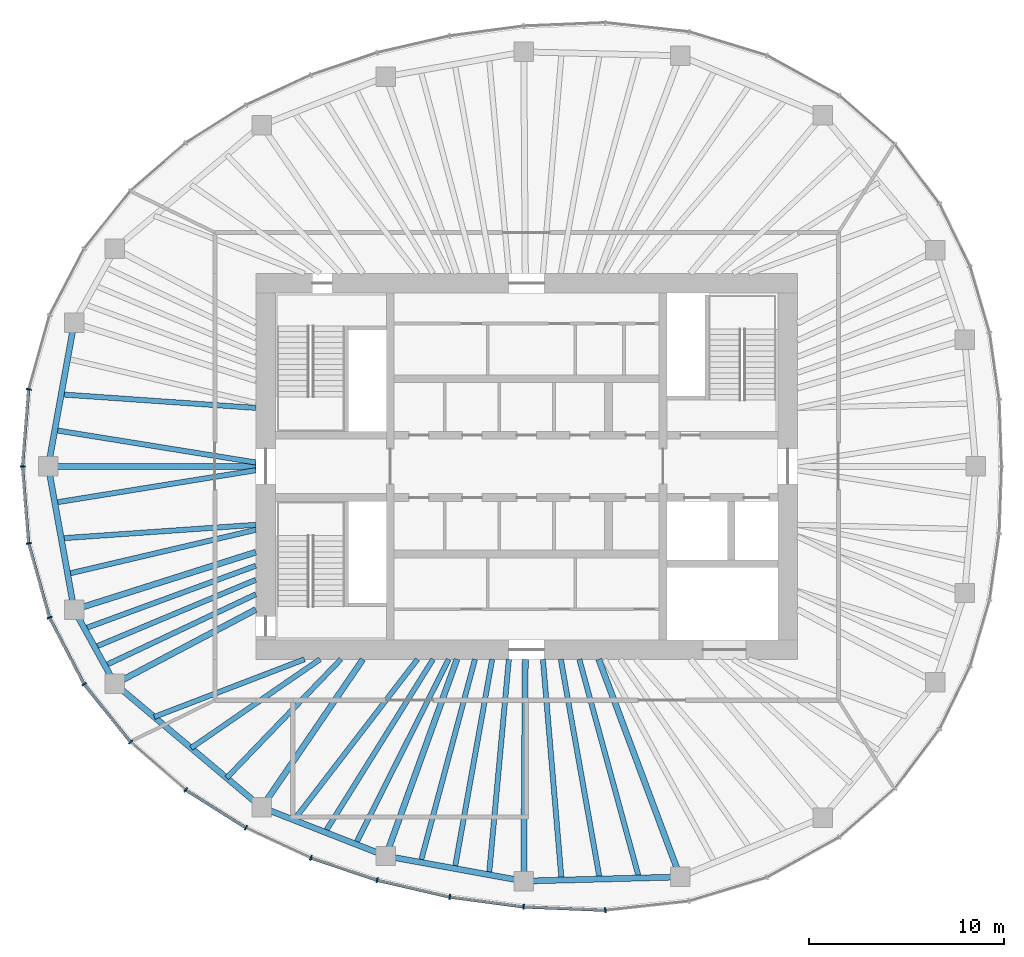
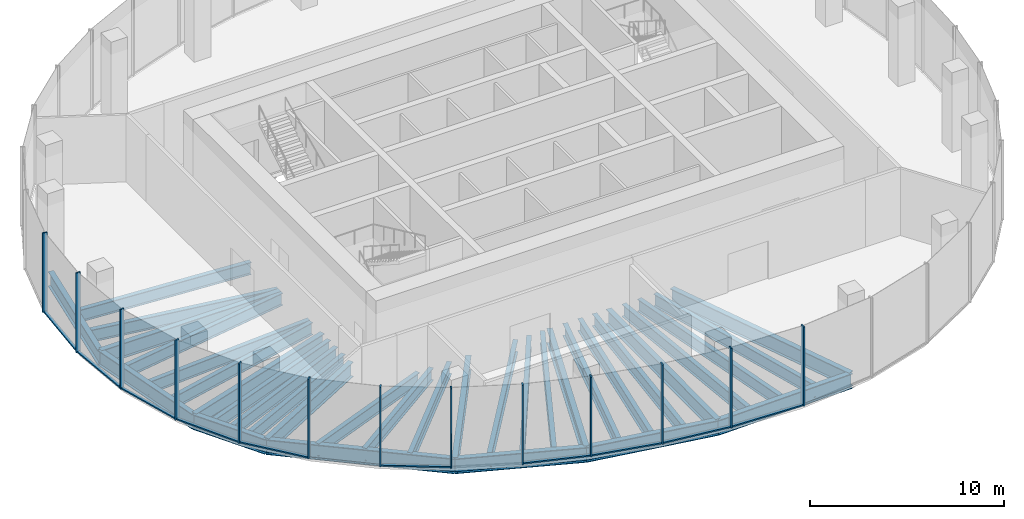
# One storey, part 2 of 11: 34 beams, 23 members, 7 elements without a shape of their own.
"""IFC4 building model written with IfcOpenShell, lengths in metres."""

from ifc_helpers import new_model, si_unit, direction, frame, origin, origin_2d, place, context, subcontext, project, spatial, rectangle, i_section, extrude, material, material_profile, profile_set, type_object, element, aggregate, save


model = new_model("IFC4")

# Units and contexts
model_context = context("Model", 3, precision=1e-05, world=origin(), true_north=direction((0.0, 1.0)))
body_context = subcontext(model_context, "Body", "Model", "MODEL_VIEW")
ifc_project = project(units=[si_unit("LENGTHUNIT", "METRE"), si_unit("AREAUNIT", "SQUARE_METRE"), si_unit("VOLUMEUNIT", "CUBIC_METRE"), si_unit("PLANEANGLEUNIT", "RADIAN"), si_unit("MASSUNIT", "GRAM", prefix="KILO")], contexts=[model_context])

# Site, building, storey
site_placement = place(None, origin())
site = spatial("IfcSite", under=ifc_project, at=site_placement, CompositionType="ELEMENT")
building_placement = place(site_placement, origin())
building = spatial("IfcBuilding", under=site, at=building_placement, Name="Ghaith Harvest Tower", CompositionType="ELEMENT")
storey_placement = place(building_placement, frame((0.0, 0.0, 339.199951171875)))
storey = spatial("IfcBuildingStorey", under=building, at=storey_placement, Name="L76", CompositionType="ELEMENT", Elevation=339.199951171875)

# Curtain wall, member
ifc_material_1 = material(Name="Black anodised aluminium and fritted glass", Category="aluminium")
curtain_wall_type = type_object("IfcCurtainWallType", Name="CW-C CURTAIN WALL", PredefinedType="NOTDEFINED", material=ifc_material_1)
curtain_wall_1_placement = place(storey_placement, origin())
curtain_wall_1 = element("IfcCurtainWall", 1, at=curtain_wall_1_placement, inside=storey, type_object=curtain_wall_type, Name="Curtain wall CW-C bay 10 L76", PredefinedType="NOTDEFINED")
ifc_material_2 = material(Name="Aluminium, black anodised", Category="aluminium")
ifc_material_profile_1 = material_profile(ifc_material_2, rectangle(XDim=0.080078125, YDim=0.260009765625, at=origin_2d()), Name="CW-C MULLION 80x260")
ifc_profile_set_1 = profile_set([ifc_material_profile_1], Name="Aluminium, black anodised")
member_type_1 = type_object("IfcMemberType", Name="CW-C MULLION 80x260", PredefinedType="MULLION", material=ifc_profile_set_1)
member_1_placement = place(storey_placement, frame((-25.5517578125, 3.9521484375, 0.0), z_axis=(0.0, 0.0, 1.0), x_axis=(-0.176001390642, -0.984389917915, 0.0)))
member_1 = element("IfcMember", 2, at=member_1_placement, type_object=member_type_1, Name="CW-C mullion 2 bay 10 L76", PredefinedType="MULLION", context=body_context, shape_type="SweptSolid", body=[
    extrude(rectangle(XDim=0.080078125, YDim=0.260009765625, at=origin_2d()), origin(), (0.0, 0.0, 1.0), 5.0),
])

# Curtain wall, members
curtain_wall_2_placement = place(storey_placement, origin())
curtain_wall_2 = element("IfcCurtainWall", 3, at=curtain_wall_2_placement, inside=storey, type_object=curtain_wall_type, Name="Curtain wall CW-C bay 11 L76", PredefinedType="NOTDEFINED")
member_2_placement = place(storey_placement, frame((-25.8701171875, 0.0, 0.0), z_axis=(0.0, 0.0, 1.0), x_axis=(-1.05e-10, -1.0, 0.0)))
member_2 = element("IfcMember", 4, at=member_2_placement, type_object=member_type_1, Name="CW-C mullion 1 bay 11 L76", PredefinedType="MULLION", context=body_context, shape_type="SweptSolid", body=[
    extrude(rectangle(XDim=0.080078125, YDim=0.260009765625, at=origin_2d()), origin(), (0.0, 0.0, 1.0), 5.0),
])
member_3_placement = place(storey_placement, frame((-25.5517578125, -3.9521484375, 0.0), z_axis=(0.0, 0.0, 1.0), x_axis=(0.176001391003, -0.98438991785, 0.0)))
member_3 = element("IfcMember", 5, at=member_3_placement, type_object=member_type_1, Name="CW-C mullion 2 bay 11 L76", PredefinedType="MULLION", context=body_context, shape_type="SweptSolid", body=[
    extrude(rectangle(XDim=0.080078125, YDim=0.260009765625, at=origin_2d()), origin(), (0.0, 0.0, 1.0), 5.0),
])

curtain_wall_3_placement = place(storey_placement, origin())
curtain_wall_3 = element("IfcCurtainWall", 6, at=curtain_wall_3_placement, inside=storey, type_object=curtain_wall_type, Name="Curtain wall CW-C bay 12 L76", PredefinedType="NOTDEFINED")
member_4_placement = place(storey_placement, frame((-24.482666015625, -7.759033203125, 0.0), z_axis=(0.0, 0.0, 1.0), x_axis=(0.366473104734, -0.930428645038, 0.0)))
member_4 = element("IfcMember", 7, at=member_4_placement, type_object=member_type_1, Name="CW-C mullion 1 bay 12 L76", PredefinedType="MULLION", context=body_context, shape_type="SweptSolid", body=[
    extrude(rectangle(XDim=0.080078125, YDim=0.260009765625, at=origin_2d()), origin(), (0.0, 0.0, 1.0), 5.0),
])
member_5_placement = place(storey_placement, frame((-22.706298828125, -11.176513671875, 0.0), z_axis=(0.0, 0.0, 1.0), x_axis=(0.545865412431, -0.837872873121, 0.0)))
member_5 = element("IfcMember", 8, at=member_5_placement, type_object=member_type_1, Name="CW-C mullion 2 bay 12 L76", PredefinedType="MULLION", context=body_context, shape_type="SweptSolid", body=[
    extrude(rectangle(XDim=0.080078125, YDim=0.260009765625, at=origin_2d()), origin(), (0.0, 0.0, 1.0), 5.0),
])

curtain_wall_4_placement = place(storey_placement, origin())
curtain_wall_4 = element("IfcCurtainWall", 9, at=curtain_wall_4_placement, inside=storey, type_object=curtain_wall_type, Name="Curtain wall CW-C bay 13 L76", PredefinedType="NOTDEFINED")
member_6_placement = place(storey_placement, frame((-20.324462890625, -14.141845703125, 0.0), z_axis=(0.0, 0.0, 1.0), x_axis=(0.692826491831, -0.721104328248, 0.0)))
member_6 = element("IfcMember", 10, at=member_6_placement, type_object=member_type_1, Name="CW-C mullion 1 bay 13 L76", PredefinedType="MULLION", context=body_context, shape_type="SweptSolid", body=[
    extrude(rectangle(XDim=0.080078125, YDim=0.260009765625, at=origin_2d()), origin(), (0.0, 0.0, 1.0), 5.0),
])
member_7_placement = place(storey_placement, frame((-17.49462890625, -16.600830078125, 0.0), z_axis=(0.0, 0.0, 1.0), x_axis=(0.802189888845, -0.59706899286, 0.0)))
member_7 = element("IfcMember", 11, at=member_7_placement, type_object=member_type_1, Name="CW-C mullion 2 bay 13 L76", PredefinedType="MULLION", context=body_context, shape_type="SweptSolid", body=[
    extrude(rectangle(XDim=0.080078125, YDim=0.260009765625, at=origin_2d()), origin(), (0.0, 0.0, 1.0), 5.0),
])

curtain_wall_5_placement = place(storey_placement, origin())
curtain_wall_5 = element("IfcCurtainWall", 12, at=curtain_wall_5_placement, inside=storey, type_object=curtain_wall_type, Name="Curtain wall CW-C bay 14 L76", PredefinedType="NOTDEFINED")
member_8_placement = place(storey_placement, frame((-14.40478515625, -18.5478515625, 0.0), z_axis=(0.0, 0.0, 1.0), x_axis=(0.878671732732, -0.477426419564, 0.0)))
member_8 = element("IfcMember", 13, at=member_8_placement, type_object=member_type_1, Name="CW-C mullion 1 bay 14 L76", PredefinedType="MULLION", context=body_context, shape_type="SweptSolid", body=[
    extrude(rectangle(XDim=0.080078125, YDim=0.260009765625, at=origin_2d()), origin(), (0.0, 0.0, 1.0), 5.0),
])
member_9_placement = place(storey_placement, frame((-11.0673828125, -20.093017578125, 0.0), z_axis=(0.0, 0.0, 1.0), x_axis=(0.92862442092, -0.371021138038, 0.0)))
member_9 = element("IfcMember", 14, at=member_9_placement, type_object=member_type_1, Name="CW-C mullion 2 bay 14 L76", PredefinedType="MULLION", context=body_context, shape_type="SweptSolid", body=[
    extrude(rectangle(XDim=0.080078125, YDim=0.260009765625, at=origin_2d()), origin(), (0.0, 0.0, 1.0), 5.0),
])

curtain_wall_6_placement = place(storey_placement, origin())
curtain_wall_6 = element("IfcCurtainWall", 15, at=curtain_wall_6_placement, inside=storey, type_object=curtain_wall_type, Name="Curtain wall CW-C bay 15 L76", PredefinedType="NOTDEFINED")
member_10_placement = place(storey_placement, frame((-7.6708984375, -21.23828125, 0.0), z_axis=(0.0, 0.0, 1.0), x_axis=(0.962552491659, -0.271095372151, 0.0)))
member_10 = element("IfcMember", 16, at=member_10_placement, type_object=member_type_1, Name="CW-C mullion 1 bay 15 L76", PredefinedType="MULLION", context=body_context, shape_type="SweptSolid", body=[
    extrude(rectangle(XDim=0.080078125, YDim=0.260009765625, at=origin_2d()), origin(), (0.0, 0.0, 1.0), 5.0),
])
member_11_placement = place(storey_placement, frame((-3.946533203125, -22.0986328125, 0.0), z_axis=(0.0, 0.0, 1.0), x_axis=(0.983843447712, -0.179030920217, 0.0)))
member_11 = element("IfcMember", 17, at=member_11_placement, type_object=member_type_1, Name="CW-C mullion 2 bay 15 L76", PredefinedType="MULLION", context=body_context, shape_type="SweptSolid", body=[
    extrude(rectangle(XDim=0.080078125, YDim=0.260009765625, at=origin_2d()), origin(), (0.0, 0.0, 1.0), 5.0),
])

curtain_wall_7_placement = place(storey_placement, origin())
curtain_wall_7 = element("IfcCurtainWall", 18, at=curtain_wall_7_placement, inside=storey, type_object=curtain_wall_type, Name="Curtain wall CW-C bay 16 L76", PredefinedType="NOTDEFINED")
member_12_placement = place(storey_placement, frame((-0.15478515625, -22.60595703125, 0.0), z_axis=(0.0, 0.0, 1.0), x_axis=(0.996414855524, -0.084601629366, 0.0)))
member_12 = element("IfcMember", 19, at=member_12_placement, type_object=member_type_1, Name="CW-C mullion 1 bay 16 L76", PredefinedType="MULLION", context=body_context, shape_type="SweptSolid", body=[
    extrude(rectangle(XDim=0.080078125, YDim=0.260009765625, at=origin_2d()), origin(), (0.0, 0.0, 1.0), 5.0),
])
member_13_placement = place(storey_placement, frame((4.037841796875, -22.776611328125, 0.0), z_axis=(0.0, 0.0, 1.0), x_axis=(0.999388631241, 0.034962318939, 0.0)))
member_13 = element("IfcMember", 20, at=member_13_placement, type_object=member_type_1, Name="CW-C mullion 2 bay 16 L76", PredefinedType="MULLION", context=body_context, shape_type="SweptSolid", body=[
    extrude(rectangle(XDim=0.080078125, YDim=0.260009765625, at=origin_2d()), origin(), (0.0, 0.0, 1.0), 5.0),
])

# Member
ifc_material_3 = material(Name="Aluminium, black anodised", Category="aluminium")
ifc_material_profile_2 = material_profile(ifc_material_3, rectangle(XDim=0.159912109375, YDim=0.080078125, at=origin_2d()), Name="CW-C TRANSOM 160x80")
ifc_profile_set_2 = profile_set([ifc_material_profile_2], Name="Aluminium, black anodised")
member_type_2 = type_object("IfcMemberType", Name="CW-C TRANSOM 160x80", PredefinedType="USERDEFINED", material=ifc_profile_set_2)
member_14_placement = place(storey_placement, frame((-25.554931640625, 3.912109375, 0.0400390625), z_axis=(-0.08025226314, -0.996774585481, 0.0), x_axis=(0.996774585481, -0.08025226314, 0.0)))
member_14 = element("IfcMember", 21, at=member_14_placement, type_object=member_type_2, Name="CW-C transom 2 bay 10 L76", ObjectType="TRANSOM", PredefinedType="USERDEFINED", context=body_context, shape_type="SweptSolid", body=[
    extrude(rectangle(XDim=0.159912109375, YDim=0.080078125, at=origin_2d()), origin(), (0.0, 0.0, 1.0), 3.884765625),
])

aggregate(curtain_wall_1, [member_1, member_14])

member_15_placement = place(storey_placement, frame((-25.86669921875, -0.039794921875, 0.0400390625), z_axis=(0.08025226314, -0.996774585481, 0.0), x_axis=(0.996774585481, 0.08025226314, 0.0)))
member_15 = element("IfcMember", 22, at=member_15_placement, type_object=member_type_2, Name="CW-C transom 1 bay 11 L76", ObjectType="TRANSOM", PredefinedType="USERDEFINED", context=body_context, shape_type="SweptSolid", body=[
    extrude(rectangle(XDim=0.159912109375, YDim=0.080078125, at=origin_2d()), origin(), (0.0, 0.0, 1.0), 3.884765625),
])

member_16_placement = place(storey_placement, frame((-25.541015625, -3.990478515625, 0.0400390625), z_axis=(0.270340422972, -0.962764797709, 0.0), x_axis=(0.962764797709, 0.270340422972, 0.0)))
member_16 = element("IfcMember", 23, at=member_16_placement, type_object=member_type_2, Name="CW-C transom 2 bay 11 L76", ObjectType="TRANSOM", PredefinedType="USERDEFINED", context=body_context, shape_type="SweptSolid", body=[
    extrude(rectangle(XDim=0.159912109375, YDim=0.080078125, at=origin_2d()), origin(), (0.0, 0.0, 1.0), 3.874267578125),
])

aggregate(curtain_wall_2, [member_2, member_15, member_3, member_16])

member_17_placement = place(storey_placement, frame((-24.46435546875, -7.79443359375, 0.0400390625), z_axis=(0.461242681347, -0.887274021317, 0.0), x_axis=(0.887274021317, 0.461242681347, 0.0)))
member_17 = element("IfcMember", 24, at=member_17_placement, type_object=member_type_2, Name="CW-C transom 1 bay 12 L76", ObjectType="TRANSOM", PredefinedType="USERDEFINED", context=body_context, shape_type="SweptSolid", body=[
    extrude(rectangle(XDim=0.159912109375, YDim=0.080078125, at=origin_2d()), origin(), (0.0, 0.0, 1.0), 3.77197265625),
])

member_18_placement = place(storey_placement, frame((-22.68115234375, -11.207763671875, 0.0400390625), z_axis=(0.626253073761, -0.779619835307, 0.0), x_axis=(0.779619835307, 0.626253073761, 0.0)))
member_18 = element("IfcMember", 25, at=member_18_placement, type_object=member_type_2, Name="CW-C transom 2 bay 12 L76", ObjectType="TRANSOM", PredefinedType="USERDEFINED", context=body_context, shape_type="SweptSolid", body=[
    extrude(rectangle(XDim=0.159912109375, YDim=0.080078125, at=origin_2d()), origin(), (0.0, 0.0, 1.0), 3.723388671875),
])

aggregate(curtain_wall_3, [member_4, member_17, member_5, member_18])

member_19_placement = place(storey_placement, frame((-17.4609375, -16.6220703125, 0.0400390625), z_axis=(0.846053602505, -0.533097835006, 0.0), x_axis=(0.533097835006, 0.846053602505, 0.0)))
member_19 = element("IfcMember", 26, at=member_19_placement, type_object=member_type_2, Name="CW-C transom 2 bay 13 L76", ObjectType="TRANSOM", PredefinedType="USERDEFINED", context=body_context, shape_type="SweptSolid", body=[
    extrude(rectangle(XDim=0.159912109375, YDim=0.080078125, at=origin_2d()), origin(), (0.0, 0.0, 1.0), 3.572021484375),
])

aggregate(curtain_wall_4, [member_6, member_7, member_19])

member_20_placement = place(storey_placement, frame((-11.029541015625, -20.105712890625, 0.0400390625), z_axis=(0.9475698206, -0.319548799228, 0.0), x_axis=(0.319548799228, 0.9475698206, 0.0)))
member_20 = element("IfcMember", 27, at=member_20_placement, type_object=member_type_2, Name="CW-C transom 2 bay 14 L76", ObjectType="TRANSOM", PredefinedType="USERDEFINED", context=body_context, shape_type="SweptSolid", body=[
    extrude(rectangle(XDim=0.159912109375, YDim=0.080078125, at=origin_2d()), origin(), (0.0, 0.0, 1.0), 3.504638671875),
])

aggregate(curtain_wall_5, [member_8, member_9, member_20])

member_21_placement = place(storey_placement, frame((-7.6318359375, -21.247314453125, 0.0400390625), z_axis=(0.974344997799, -0.225059603803, 0.0), x_axis=(0.225059603803, 0.974344997799, 0.0)))
member_21 = element("IfcMember", 28, at=member_21_placement, type_object=member_type_2, Name="CW-C transom 1 bay 15 L76", ObjectType="TRANSOM", PredefinedType="USERDEFINED", context=body_context, shape_type="SweptSolid", body=[
    extrude(rectangle(XDim=0.159912109375, YDim=0.080078125, at=origin_2d()), origin(), (0.0, 0.0, 1.0), 3.742431640625),
])

member_22_placement = place(storey_placement, frame((-3.90673828125, -22.10400390625, 0.0400390625), z_axis=(0.99117202259, -0.132582131655, 0.0), x_axis=(0.132582131655, 0.99117202259, 0.0)))
member_22 = element("IfcMember", 29, at=member_22_placement, type_object=member_type_2, Name="CW-C transom 2 bay 15 L76", ObjectType="TRANSOM", PredefinedType="USERDEFINED", context=body_context, shape_type="SweptSolid", body=[
    extrude(rectangle(XDim=0.159912109375, YDim=0.080078125, at=origin_2d()), origin(), (0.0, 0.0, 1.0), 3.745361328125),
])

aggregate(curtain_wall_6, [member_10, member_21, member_11, member_22])

member_23_placement = place(storey_placement, frame((-0.11474609375, -22.607666015625, 0.0400390625), z_axis=(0.999174207562, -0.040631304968, 0.0), x_axis=(0.040631304968, 0.999174207562, 0.0)))
member_23 = element("IfcMember", 30, at=member_23_placement, type_object=member_type_2, Name="CW-C transom 1 bay 16 L76", ObjectType="TRANSOM", PredefinedType="USERDEFINED", context=body_context, shape_type="SweptSolid", body=[
    extrude(rectangle(XDim=0.159912109375, YDim=0.080078125, at=origin_2d()), origin(), (0.0, 0.0, 1.0), 4.115966796875),
])

aggregate(curtain_wall_7, [member_12, member_23, member_13])

# Beams
ifc_material_4 = material(Name="Steel ASTM A992 Grade 50", Category="steel")
ifc_material_profile_3 = material_profile(ifc_material_4, i_section(OverallWidth=0.306884765625, OverallDepth=0.94189453125, WebThickness=0.022216796875, FlangeThickness=0.039794921875, at=origin_2d()), Name="W920X345")
ifc_profile_set_3 = profile_set([ifc_material_profile_3], Name="Steel ASTM A992 Grade 50")
beam_type_1 = type_object("IfcBeamType", Name="E920-345 W920X345", PredefinedType="SPANDREL", material=ifc_profile_set_3)
for number, where, z_axis, x_axis, name in (
    (31, (-23.22412109375, 7.360107421875, -0.77099609375), (-0.177296554745, -0.984157473007, 0.0), (0.984157473007, -0.177296554745, 0.0), "Edge beam E10 L76"),
    (32, (-24.550048828125, 0.0, -0.77099609375), (0.177296554745, -0.984157473007, 0.0), (0.984157473007, 0.177296554745, 0.0), "Edge beam E11 L76"),
):
    element("IfcBeam", number, at=place(storey_placement, frame(where, z_axis=z_axis, x_axis=x_axis)), inside=storey, type_object=beam_type_1, Name=name, PredefinedType="SPANDREL", context=body_context, shape_type="SweptSolid", body=[
        extrude(i_section(OverallWidth=0.306884765625, OverallDepth=0.94189453125, WebThickness=0.022216796875, FlangeThickness=0.039794921875, at=origin_2d()), origin(), (0.0, 0.0, 1.0), 7.478515625),
    ])
beam_1_placement = place(storey_placement, frame((-23.22412109375, -7.360107421875, -0.77099609375), z_axis=(0.482955575345, -0.875644855089, 0.0), x_axis=(0.875644855089, 0.482955575345, 0.0)))
element("IfcBeam", 33, at=beam_1_placement, inside=storey, type_object=beam_type_1, Name="Edge beam E12 L76", PredefinedType="SPANDREL", context=body_context, shape_type="SweptSolid", body=[
    extrude(i_section(OverallWidth=0.306884765625, OverallDepth=0.94189453125, WebThickness=0.022216796875, FlangeThickness=0.039794921875, at=origin_2d()), origin(), (0.0, 0.0, 1.0), 4.346435546875),
])
beam_2_placement = place(storey_placement, frame((-21.125, -11.166015625, -0.77099609375), z_axis=(0.765021818761, -0.64400436087, 0.0), x_axis=(0.64400436087, 0.765021818761, 0.0)))
element("IfcBeam", 34, at=beam_2_placement, inside=storey, type_object=beam_type_1, Name="Edge beam E13 L76", PredefinedType="SPANDREL", context=body_context, shape_type="SweptSolid", body=[
    extrude(i_section(OverallWidth=0.306884765625, OverallDepth=0.94189453125, WebThickness=0.022216796875, FlangeThickness=0.039794921875, at=origin_2d()), origin(), (0.0, 0.0, 1.0), 9.8427734375),
])
beam_3_placement = place(storey_placement, frame((-13.594970703125, -17.5048828125, -0.77099609375), z_axis=(0.931322768207, -0.364194867371, 0.0), x_axis=(0.364194867371, 0.931322768207, 0.0)))
element("IfcBeam", 35, at=beam_3_placement, inside=storey, type_object=beam_type_1, Name="Edge beam E14 L76", PredefinedType="SPANDREL", context=body_context, shape_type="SweptSolid", body=[
    extrude(i_section(OverallWidth=0.306884765625, OverallDepth=0.94189453125, WebThickness=0.022216796875, FlangeThickness=0.039794921875, at=origin_2d()), origin(), (0.0, 0.0, 1.0), 6.843017578125),
])
beam_4_placement = place(storey_placement, frame((-7.221923828125, -19.9970703125, -0.77099609375), z_axis=(0.983813921429, -0.179193102551, 0.0), x_axis=(0.179193102551, 0.983813921429, 0.0)))
element("IfcBeam", 36, at=beam_4_placement, inside=storey, type_object=beam_type_1, Name="Edge beam E15 L76", PredefinedType="SPANDREL", context=body_context, shape_type="SweptSolid", body=[
    extrude(i_section(OverallWidth=0.306884765625, OverallDepth=0.94189453125, WebThickness=0.022216796875, FlangeThickness=0.039794921875, at=origin_2d()), origin(), (0.0, 0.0, 1.0), 7.1923828125),
])
beam_5_placement = place(storey_placement, frame((-0.14599609375, -21.285888671875, -0.77099609375), z_axis=(0.999644979696, 0.02664422206, 0.0), x_axis=(-0.02664422206, 0.999644979696, 0.0)))
element("IfcBeam", 37, at=beam_5_placement, inside=storey, type_object=beam_type_1, Name="Edge beam E16 L76", PredefinedType="SPANDREL", context=body_context, shape_type="SweptSolid", body=[
    extrude(i_section(OverallWidth=0.306884765625, OverallDepth=0.94189453125, WebThickness=0.022216796875, FlangeThickness=0.039794921875, at=origin_2d()), origin(), (0.0, 0.0, 1.0), 8.02685546875),
])
ifc_material_5 = material(Name="Steel ASTM A992 Grade 50", Category="steel")
ifc_material_profile_4 = material_profile(ifc_material_5, i_section(OverallWidth=0.31005859375, OverallDepth=0.927001953125, WebThickness=0.019287109375, FlangeThickness=0.031982421875, at=origin_2d()), Name="W920X289")
ifc_profile_set_4 = profile_set([ifc_material_profile_4], Name="Steel ASTM A992 Grade 50")
beam_type_2 = type_object("IfcBeamType", Name="G920-289 W920X289", PredefinedType="BEAM", material=ifc_profile_set_4)
beam_6_placement = place(storey_placement, frame((-13.89990234375, 0.0, -0.763427734375), z_axis=(-1.0, 0.0, 0.0), x_axis=(0.0, -1.0, 0.0)))
element("IfcBeam", 38, at=beam_6_placement, inside=storey, type_object=beam_type_2, Name="Radial girder G11 L76", PredefinedType="BEAM", context=body_context, shape_type="SweptSolid", body=[
    extrude(i_section(OverallWidth=0.31005859375, OverallDepth=0.927001953125, WebThickness=0.019287109375, FlangeThickness=0.031982421875, at=origin_2d()), origin(), (0.0, 0.0, 1.0), 10.650146484375),
])
beam_7_placement = place(storey_placement, frame((-13.89990234375, -4.4052734375, -0.763427734375), z_axis=(-0.953278508772, -0.302092841215, 0.0), x_axis=(0.302092841215, -0.953278508772, 0.0)))
element("IfcBeam", 39, at=beam_7_placement, inside=storey, type_object=beam_type_2, Name="Radial girder G12 L76", PredefinedType="BEAM", context=body_context, shape_type="SweptSolid", body=[
    extrude(i_section(OverallWidth=0.31005859375, OverallDepth=0.927001953125, WebThickness=0.019287109375, FlangeThickness=0.031982421875, at=origin_2d()), origin(), (0.0, 0.0, 1.0), 9.78125),
])
beam_8_placement = place(storey_placement, frame((-13.89990234375, -7.34716796875, -0.763427734375), z_axis=(-0.88410164037, -0.467294649546, 0.0), x_axis=(0.467294649546, -0.88410164037, 0.0)))
element("IfcBeam", 40, at=beam_8_placement, inside=storey, type_object=beam_type_2, Name="Radial girder G13 L76", PredefinedType="BEAM", context=body_context, shape_type="SweptSolid", body=[
    extrude(i_section(OverallWidth=0.31005859375, OverallDepth=0.927001953125, WebThickness=0.019287109375, FlangeThickness=0.031982421875, at=origin_2d()), origin(), (0.0, 0.0, 1.0), 8.17236328125),
])
beam_9_placement = place(storey_placement, frame((-8.39990234375, -9.89990234375, -0.763427734375), z_axis=(-0.564067018201, -0.825729010619, 0.0), x_axis=(0.825729010619, -0.564067018201, 0.0)))
element("IfcBeam", 41, at=beam_9_placement, inside=storey, type_object=beam_type_2, Name="Radial girder G14 L76", PredefinedType="BEAM", context=body_context, shape_type="SweptSolid", body=[
    extrude(i_section(OverallWidth=0.31005859375, OverallDepth=0.927001953125, WebThickness=0.019287109375, FlangeThickness=0.031982421875, at=origin_2d()), origin(), (0.0, 0.0, 1.0), 9.2099609375),
])
beam_10_placement = place(storey_placement, frame((-3.57568359375, -9.89990234375, -0.763427734375), z_axis=(-0.339647816823, -0.940552688863, 0.0), x_axis=(0.940552688863, -0.339647816823, 0.0)))
element("IfcBeam", 42, at=beam_10_placement, inside=storey, type_object=beam_type_2, Name="Radial girder G15 L76", PredefinedType="BEAM", context=body_context, shape_type="SweptSolid", body=[
    extrude(i_section(OverallWidth=0.31005859375, OverallDepth=0.927001953125, WebThickness=0.019287109375, FlangeThickness=0.031982421875, at=origin_2d()), origin(), (0.0, 0.0, 1.0), 10.7353515625),
])
beam_11_placement = place(storey_placement, frame((-0.06787109375, -9.89990234375, -0.763427734375), z_axis=(-0.006861343299, -0.999976460707, 0.0), x_axis=(0.999976460707, -0.006861343299, 0.0)))
element("IfcBeam", 43, at=beam_11_placement, inside=storey, type_object=beam_type_2, Name="Radial girder G16 L76", PredefinedType="BEAM", context=body_context, shape_type="SweptSolid", body=[
    extrude(i_section(OverallWidth=0.31005859375, OverallDepth=0.927001953125, WebThickness=0.019287109375, FlangeThickness=0.031982421875, at=origin_2d()), origin(), (0.0, 0.0, 1.0), 11.38623046875),
])
beam_12_placement = place(storey_placement, frame((3.700927734375, -9.89990234375, -0.763427734375), z_axis=(0.350201332531, -0.936674450753, 0.0), x_axis=(0.936674450753, 0.350201332531, 0.0)))
element("IfcBeam", 44, at=beam_12_placement, inside=storey, type_object=beam_type_2, Name="Radial girder G17 L76", PredefinedType="BEAM", context=body_context, shape_type="SweptSolid", body=[
    extrude(i_section(OverallWidth=0.31005859375, OverallDepth=0.927001953125, WebThickness=0.019287109375, FlangeThickness=0.031982421875, at=origin_2d()), origin(), (0.0, 0.0, 1.0), 11.927490234375),
])
ifc_material_6 = material(Name="Steel ASTM A992 Grade 50", Category="steel")
ifc_material_profile_5 = material_profile(ifc_material_6, i_section(OverallWidth=0.26806640625, OverallDepth=0.77001953125, WebThickness=0.015625, FlangeThickness=0.025390625, at=origin_2d()), Name="W760X196")
ifc_profile_set_5 = profile_set([ifc_material_profile_5], Name="Steel ASTM A992 Grade 50")
beam_type_3 = type_object("IfcBeamType", Name="J760-196 W760X196", PredefinedType="JOIST", material=ifc_profile_set_5)
beam_13_placement = place(storey_placement, frame((-13.89990234375, 3.0, -0.68505859375), z_axis=(-0.997592478057, 0.069348739886, 0.0), x_axis=(-0.069348739886, -0.997592478057, 0.0)))
element("IfcBeam", 45, at=beam_13_placement, inside=storey, type_object=beam_type_3, Name="Joist J10.2 L76", PredefinedType="JOIST", context=body_context, shape_type="SweptSolid", body=[
    extrude(i_section(OverallWidth=0.26806640625, OverallDepth=0.77001953125, WebThickness=0.015625, FlangeThickness=0.025390625, at=origin_2d()), origin(), (0.0, 0.0, 1.0), 10.0087890625),
])
for number, where, z_axis, x_axis, name in (
    (46, (-13.89990234375, 0.199951171875, -0.68505859375), (-0.987271793524, 0.159042150743, 0.0), (-0.159042150743, -0.987271793524, 0.0), "Joist J10.3 L76"),
    (47, (-13.89990234375, -0.199951171875, -0.68505859375), (-0.987271793524, -0.159042150743, 0.0), (0.159042150743, -0.987271793524, 0.0), "Joist J11.1 L76"),
):
    element("IfcBeam", number, at=place(storey_placement, frame(where, z_axis=z_axis, x_axis=x_axis)), inside=storey, type_object=beam_type_3, Name=name, PredefinedType="JOIST", context=body_context, shape_type="SweptSolid", body=[
        extrude(i_section(OverallWidth=0.26806640625, OverallDepth=0.77001953125, WebThickness=0.015625, FlangeThickness=0.025390625, at=origin_2d()), origin(), (0.0, 0.0, 1.0), 10.44775390625),
    ])
beam_14_placement = place(storey_placement, frame((-13.89990234375, -3.0, -0.68505859375), z_axis=(-0.997592478057, -0.069348739886, 0.0), x_axis=(0.069348739886, -0.997592478057, 0.0)))
element("IfcBeam", 48, at=beam_14_placement, inside=storey, type_object=beam_type_3, Name="Joist J11.2 L76", PredefinedType="JOIST", context=body_context, shape_type="SweptSolid", body=[
    extrude(i_section(OverallWidth=0.26806640625, OverallDepth=0.77001953125, WebThickness=0.015625, FlangeThickness=0.025390625, at=origin_2d()), origin(), (0.0, 0.0, 1.0), 10.0087890625),
])
beam_15_placement = place(storey_placement, frame((-13.89990234375, -3.257080078125, -0.68505859375), z_axis=(-0.973623403271, -0.228161058472, 0.0), x_axis=(0.228161058472, -0.973623403271, 0.0)))
element("IfcBeam", 49, at=beam_15_placement, inside=storey, type_object=beam_type_3, Name="Joist J11.3 L76", PredefinedType="JOIST", context=body_context, shape_type="SweptSolid", body=[
    extrude(i_section(OverallWidth=0.26806640625, OverallDepth=0.77001953125, WebThickness=0.015625, FlangeThickness=0.025390625, at=origin_2d()), origin(), (0.0, 0.0, 1.0), 9.9169921875),
])
beam_16_placement = place(storey_placement, frame((-13.89990234375, -5.101318359375, -0.68505859375), z_axis=(-0.938776837502, -0.34452583266, 0.0), x_axis=(0.34452583266, -0.938776837502, 0.0)))
element("IfcBeam", 50, at=beam_16_placement, inside=storey, type_object=beam_type_3, Name="Joist J12.1 L76", PredefinedType="JOIST", context=body_context, shape_type="SweptSolid", body=[
    extrude(i_section(OverallWidth=0.26806640625, OverallDepth=0.77001953125, WebThickness=0.015625, FlangeThickness=0.025390625, at=origin_2d()), origin(), (0.0, 0.0, 1.0), 9.36376953125),
])
beam_17_placement = place(storey_placement, frame((-13.89990234375, -5.82080078125, -0.68505859375), z_axis=(-0.922394258818, -0.38624970071, 0.0), x_axis=(0.38624970071, -0.922394258818, 0.0)))
element("IfcBeam", 51, at=beam_17_placement, inside=storey, type_object=beam_type_3, Name="Joist J12.2 L76", PredefinedType="JOIST", context=body_context, shape_type="SweptSolid", body=[
    extrude(i_section(OverallWidth=0.26806640625, OverallDepth=0.77001953125, WebThickness=0.015625, FlangeThickness=0.025390625, at=origin_2d()), origin(), (0.0, 0.0, 1.0), 8.959716796875),
])
beam_18_placement = place(storey_placement, frame((-13.89990234375, -6.56787109375, -0.68505859375), z_axis=(-0.904165769726, -0.427181765594, 0.0), x_axis=(0.427181765594, -0.904165769726, 0.0)))
element("IfcBeam", 52, at=beam_18_placement, inside=storey, type_object=beam_type_3, Name="Joist J12.3 L76", PredefinedType="JOIST", context=body_context, shape_type="SweptSolid", body=[
    extrude(i_section(OverallWidth=0.26806640625, OverallDepth=0.77001953125, WebThickness=0.015625, FlangeThickness=0.025390625, at=origin_2d()), origin(), (0.0, 0.0, 1.0), 8.564208984375),
])
beam_19_placement = place(storey_placement, frame((-11.39990234375, -9.89990234375, -0.68505859375), z_axis=(-0.933583045329, -0.358361127181, 0.0), x_axis=(0.358361127181, -0.933583045329, 0.0)))
element("IfcBeam", 53, at=beam_19_placement, inside=storey, type_object=beam_type_3, Name="Joist J13.1 L76", PredefinedType="JOIST", context=body_context, shape_type="SweptSolid", body=[
    extrude(i_section(OverallWidth=0.26806640625, OverallDepth=0.77001953125, WebThickness=0.015625, FlangeThickness=0.025390625, at=origin_2d()), origin(), (0.0, 0.0, 1.0), 8.260986328125),
])
beam_20_placement = place(storey_placement, frame((-10.60009765625, -9.89990234375, -0.68505859375), z_axis=(-0.823778502511, -0.566911791023, 0.0), x_axis=(0.566911791023, -0.823778502511, 0.0)))
element("IfcBeam", 54, at=beam_20_placement, inside=storey, type_object=beam_type_3, Name="Joist J13.2 L76", PredefinedType="JOIST", context=body_context, shape_type="SweptSolid", body=[
    extrude(i_section(OverallWidth=0.26806640625, OverallDepth=0.77001953125, WebThickness=0.015625, FlangeThickness=0.025390625, at=origin_2d()), origin(), (0.0, 0.0, 1.0), 8.0341796875),
])
beam_21_placement = place(storey_placement, frame((-9.530517578125, -9.89990234375, -0.68505859375), z_axis=(-0.693536238632, -0.720421741554, 0.0), x_axis=(0.720421741554, -0.693536238632, 0.0)))
element("IfcBeam", 55, at=beam_21_placement, inside=storey, type_object=beam_type_3, Name="Joist J13.3 L76", PredefinedType="JOIST", context=body_context, shape_type="SweptSolid", body=[
    extrude(i_section(OverallWidth=0.26806640625, OverallDepth=0.77001953125, WebThickness=0.015625, FlangeThickness=0.025390625, at=origin_2d()), origin(), (0.0, 0.0, 1.0), 8.4541015625),
])
beam_22_placement = place(storey_placement, frame((-5.60009765625, -9.89990234375, -0.68505859375), z_axis=(-0.609353577926, -0.792898617144, 0.0), x_axis=(0.792898617144, -0.609353577926, 0.0)))
element("IfcBeam", 56, at=beam_22_placement, inside=storey, type_object=beam_type_3, Name="Joist J14.1 L76", PredefinedType="JOIST", context=body_context, shape_type="SweptSolid", body=[
    extrude(i_section(OverallWidth=0.26806640625, OverallDepth=0.77001953125, WebThickness=0.015625, FlangeThickness=0.025390625, at=origin_2d()), origin(), (0.0, 0.0, 1.0), 10.406982421875),
])
beam_23_placement = place(storey_placement, frame((-4.800048828125, -9.89990234375, -0.68505859375), z_axis=(-0.529596254905, -0.848249849273, 0.0), x_axis=(0.848249849273, -0.529596254905, 0.0)))
element("IfcBeam", 57, at=beam_23_placement, inside=storey, type_object=beam_type_3, Name="Joist J14.2 L76", PredefinedType="JOIST", context=body_context, shape_type="SweptSolid", body=[
    extrude(i_section(OverallWidth=0.26806640625, OverallDepth=0.77001953125, WebThickness=0.015625, FlangeThickness=0.025390625, at=origin_2d()), origin(), (0.0, 0.0, 1.0), 10.465087890625),
])
beam_24_placement = place(storey_placement, frame((-4.0, -9.89990234375, -0.68505859375), z_axis=(-0.449556131123, -0.893252083664, 0.0), x_axis=(0.893252083664, -0.449556131123, 0.0)))
element("IfcBeam", 58, at=beam_24_placement, inside=storey, type_object=beam_type_3, Name="Joist J14.3 L76", PredefinedType="JOIST", context=body_context, shape_type="SweptSolid", body=[
    extrude(i_section(OverallWidth=0.26806640625, OverallDepth=0.77001953125, WebThickness=0.015625, FlangeThickness=0.025390625, at=origin_2d()), origin(), (0.0, 0.0, 1.0), 10.62353515625),
])
beam_25_placement = place(storey_placement, frame((-2.651123046875, -9.89990234375, -0.68505859375), z_axis=(-0.258678019609, -0.965963602923, 0.0), x_axis=(0.965963602923, -0.258678019609, 0.0)))
element("IfcBeam", 59, at=beam_25_placement, inside=storey, type_object=beam_type_3, Name="Joist J15.1 L76", PredefinedType="JOIST", context=body_context, shape_type="SweptSolid", body=[
    extrude(i_section(OverallWidth=0.26806640625, OverallDepth=0.77001953125, WebThickness=0.015625, FlangeThickness=0.025390625, at=origin_2d()), origin(), (0.0, 0.0, 1.0), 10.78857421875),
])
beam_26_placement = place(storey_placement, frame((-1.76806640625, -9.89990234375, -0.68505859375), z_axis=(-0.175803029262, -0.984425362789, 0.0), x_axis=(0.984425362789, -0.175803029262, 0.0)))
element("IfcBeam", 60, at=beam_26_placement, inside=storey, type_object=beam_type_3, Name="Joist J15.2 L76", PredefinedType="JOIST", context=body_context, shape_type="SweptSolid", body=[
    extrude(i_section(OverallWidth=0.26806640625, OverallDepth=0.77001953125, WebThickness=0.015625, FlangeThickness=0.025390625, at=origin_2d()), origin(), (0.0, 0.0, 1.0), 10.9111328125),
])
beam_27_placement = place(storey_placement, frame((-0.9111328125, -9.89990234375, -0.68505859375), z_axis=(-0.091651380942, -0.995791154998, 0.0), x_axis=(0.995791154998, -0.091651380942, 0.0)))
element("IfcBeam", 61, at=beam_27_placement, inside=storey, type_object=beam_type_3, Name="Joist J15.3 L76", PredefinedType="JOIST", context=body_context, shape_type="SweptSolid", body=[
    extrude(i_section(OverallWidth=0.26806640625, OverallDepth=0.77001953125, WebThickness=0.015625, FlangeThickness=0.025390625, at=origin_2d()), origin(), (0.0, 0.0, 1.0), 11.10791015625),
])
beam_28_placement = place(storey_placement, frame((0.836669921875, -9.89990234375, -0.68505859375), z_axis=(0.084201795166, -0.996448723061, 0.0), x_axis=(0.996448723061, 0.084201795166, 0.0)))
element("IfcBeam", 62, at=beam_28_placement, inside=storey, type_object=beam_type_3, Name="Joist J16.1 L76", PredefinedType="JOIST", context=body_context, shape_type="SweptSolid", body=[
    extrude(i_section(OverallWidth=0.26806640625, OverallDepth=0.77001953125, WebThickness=0.015625, FlangeThickness=0.025390625, at=origin_2d()), origin(), (0.0, 0.0, 1.0), 11.37451171875),
])
beam_29_placement = place(storey_placement, frame((1.7548828125, -9.89990234375, -0.68505859375), z_axis=(0.174572943493, -0.98464424408, 0.0), x_axis=(0.98464424408, 0.174572943493, 0.0)))
element("IfcBeam", 63, at=beam_29_placement, inside=storey, type_object=beam_type_3, Name="Joist J16.2 L76", PredefinedType="JOIST", context=body_context, shape_type="SweptSolid", body=[
    extrude(i_section(OverallWidth=0.26806640625, OverallDepth=0.77001953125, WebThickness=0.015625, FlangeThickness=0.025390625, at=origin_2d()), origin(), (0.0, 0.0, 1.0), 11.4580078125),
])
beam_30_placement = place(storey_placement, frame((2.70361328125, -9.89990234375, -0.68505859375), z_axis=(0.263468802698, -0.964667916956, 0.0), x_axis=(0.964667916956, 0.263468802698, 0.0)))
element("IfcBeam", 64, at=beam_30_placement, inside=storey, type_object=beam_type_3, Name="Joist J16.3 L76", PredefinedType="JOIST", context=body_context, shape_type="SweptSolid", body=[
    extrude(i_section(OverallWidth=0.26806640625, OverallDepth=0.77001953125, WebThickness=0.015625, FlangeThickness=0.025390625, at=origin_2d()), origin(), (0.0, 0.0, 1.0), 11.639404296875),
])

save(model, "model.ifc")
